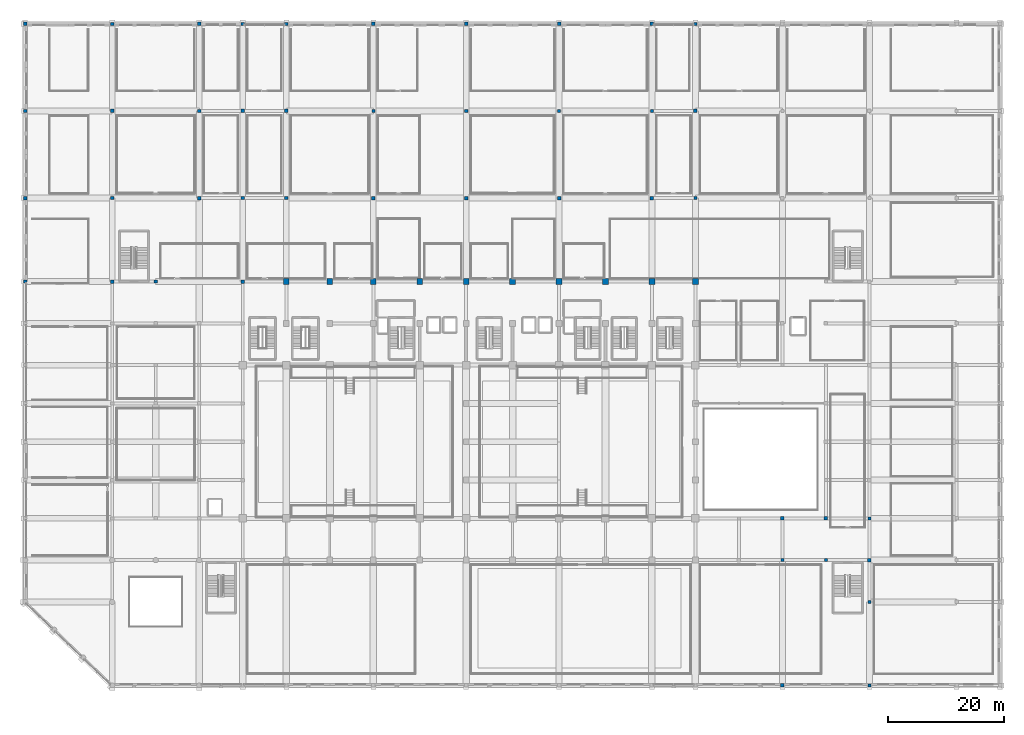
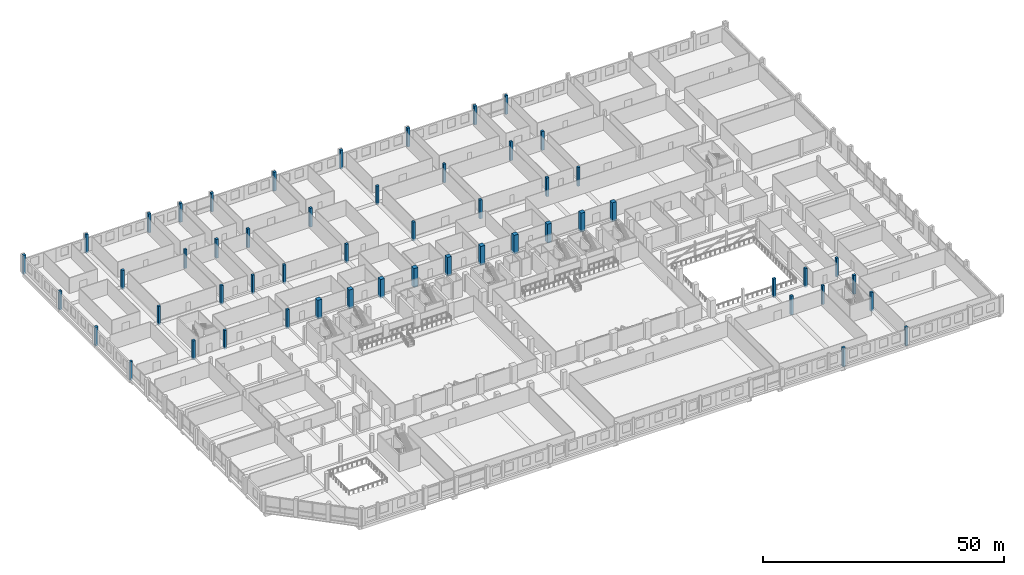
# One storey, part 4 of 68: 53 columns.
"""IFC4 building model written with IfcOpenShell, lengths in metres."""

from ifc_helpers import new_model, si_unit, direction, frame, origin, origin_2d, place, context, subcontext, project, spatial, rectangle, extrude, material, material_profile, profile_set, type_object, element, save


model = new_model("IFC4")

# Units and contexts
model_context = context("Model", 3, precision=1e-05, world=origin(), true_north=direction((0.0, 1.0)))
body_context = subcontext(model_context, "Body", "Model", "MODEL_VIEW")
ifc_project = project(units=[si_unit("LENGTHUNIT", "METRE"), si_unit("AREAUNIT", "SQUARE_METRE"), si_unit("VOLUMEUNIT", "CUBIC_METRE"), si_unit("PLANEANGLEUNIT", "RADIAN"), si_unit("MASSUNIT", "GRAM", prefix="KILO")], contexts=[model_context])

# Site, building, storey
site_placement = place(None, origin())
site = spatial("IfcSite", under=ifc_project, at=site_placement, CompositionType="ELEMENT")
building_placement = place(site_placement, origin())
building = spatial("IfcBuilding", under=site, at=building_placement, Name="Akrevak Sports Hall", CompositionType="ELEMENT")
storey_placement = place(building_placement, frame((0.0, 0.0, 9.39990234375)))
storey = spatial("IfcBuildingStorey", under=building, at=storey_placement, Name="L02", CompositionType="ELEMENT", Elevation=9.39990234375)

# Columns
ifc_material_1 = material(Name="Concrete C50/60", Category="concrete")
ifc_material_profile_1 = material_profile(ifc_material_1, rectangle(XDim=1.0, YDim=1.0, at=origin_2d()), Name="RC 1000x1000", Category="concrete")
ifc_profile_set_1 = profile_set([ifc_material_profile_1], Name="Concrete C50/60")
column_type_1 = type_object("IfcColumnType", Name="STR-COL-RC1000", PredefinedType="COLUMN", material=ifc_profile_set_1)
for number, where, z_axis, x_axis, name in (
    (1, (45.0, 69.60009765625, -0.449951171875), (0.0, 0.0, 1.0), (1.0, 0.0, 0.0), "Column 7/K (L02)"),
    (2, (52.5, 69.60009765625, -0.449951171875), (0.0, 0.0, 1.0), (1.0, 0.0, 0.0), "Column 8/K (L02)"),
    (3, (60.0, 69.60009765625, -0.449951171875), (0.0, 0.0, 1.0), (1.0, 0.0, 0.0), "Column 9/K (L02)"),
    (4, (68.0, 69.60009765625, -0.449951171875), (0.0, 0.0, 1.0), (1.0, 0.0, 0.0), "Column 10/K (L02)"),
    (5, (76.0, 69.60009765625, -0.449951171875), (0.0, 0.0, 1.0), (1.0, 0.0, 0.0), "Column 11/K (L02)"),
    (6, (84.0, 69.60009765625, -0.449951171875), (0.0, 0.0, 1.0), (1.0, 0.0, 0.0), "Column 12/K (L02)"),
    (7, (92.0, 69.60009765625, -0.449951171875), (0.0, 0.0, 1.0), (1.0, 0.0, 0.0), "Column 13/K (L02)"),
    (8, (100.0, 69.60009765625, -0.449951171875), (0.0, 0.0, 1.0), (1.0, 0.0, 0.0), "Column 14/K (L02)"),
    (9, (108.0, 69.60009765625, -0.449951171875), (0.0, 0.0, 1.0), (1.0, 0.0, 0.0), "Column 15/K (L02)"),
    (10, (115.5, 69.60009765625, -0.449951171875), (0.0, 0.0, 1.0), (1.0, 0.0, 0.0), "Column 16/K (L02)"),
):
    element("IfcColumn", number, at=place(storey_placement, frame(where, z_axis=z_axis, x_axis=x_axis)), inside=storey, type_object=column_type_1, Name=name, PredefinedType="COLUMN", context=body_context, shape_type="SweptSolid", body=[
        extrude(rectangle(XDim=1.0, YDim=1.0, at=origin_2d()), origin(), (0.0, 0.0, 1.0), 4.77001953125),
    ])
ifc_material_2 = material(Name="Concrete C40/50", Category="concrete")
ifc_material_profile_2 = material_profile(ifc_material_2, rectangle(XDim=0.550048828125, YDim=0.550048828125, at=origin_2d()), Name="RC 550x550", Category="concrete")
ifc_profile_set_2 = profile_set([ifc_material_profile_2], Name="Concrete C40/50")
column_type_2 = type_object("IfcColumnType", Name="STR-COL-RC550", PredefinedType="COLUMN", material=ifc_profile_set_2)
for number, where, z_axis, x_axis, name in (
    (11, (0.0, 69.60009765625, -0.449951171875), (0.0, 0.0, 1.0), (1.0, 0.0, 0.0), "Column 1/K (L02)"),
    (12, (0.0, 99.0, -0.449951171875), (0.0, 0.0, 1.0), (1.0, 0.0, 0.0), "Column 1/O (L02)"),
    (13, (15.0, 84.0, -0.449951171875), (0.0, 0.0, 1.0), (1.0, 0.0, 0.0), "Column 3/M (L02)"),
    (14, (15.0, 114.0, -0.449951171875), (0.0, 0.0, 1.0), (1.0, 0.0, 0.0), "Column 3/Q (L02)"),
    (15, (22.5, 69.60009765625, -0.449951171875), (0.0, 0.0, 1.0), (1.0, 0.0, 0.0), "Column 4/K (L02)"),
    (16, (30.0, 99.0, -0.449951171875), (0.0, 0.0, 1.0), (1.0, 0.0, 0.0), "Column 5/O (L02)"),
    (17, (37.5, 84.0, -0.449951171875), (0.0, 0.0, 1.0), (1.0, 0.0, 0.0), "Column 6/M (L02)"),
    (18, (37.5, 114.0, -0.449951171875), (0.0, 0.0, 1.0), (1.0, 0.0, 0.0), "Column 6/Q (L02)"),
    (19, (45.0, 84.0, -0.449951171875), (0.0, 0.0, 1.0), (1.0, 0.0, 0.0), "Column 7/M (L02)"),
    (20, (45.0, 114.0, -0.449951171875), (0.0, 0.0, 1.0), (1.0, 0.0, 0.0), "Column 7/Q (L02)"),
    (21, (60.0, 99.0, -0.449951171875), (0.0, 0.0, 1.0), (1.0, 0.0, 0.0), "Column 9/O (L02)"),
    (22, (76.0, 99.0, -0.449951171875), (0.0, 0.0, 1.0), (1.0, 0.0, 0.0), "Column 11/O (L02)"),
    (23, (92.0, 99.0, -0.449951171875), (0.0, 0.0, 1.0), (1.0, 0.0, 0.0), "Column 13/O (L02)"),
    (24, (108.0, 99.0, -0.449951171875), (0.0, 0.0, 1.0), (1.0, 0.0, 0.0), "Column 15/O (L02)"),
    (25, (115.5, 84.0, -0.449951171875), (0.0, 0.0, 1.0), (1.0, 0.0, 0.0), "Column 16/M (L02)"),
    (26, (115.5, 114.0, -0.449951171875), (0.0, 0.0, 1.0), (1.0, 0.0, 0.0), "Column 16/Q (L02)"),
    (27, (130.5, 21.60009765625, -0.449951171875), (0.0, 0.0, 1.0), (1.0, 0.0, 0.0), "Column 18/D (L02)"),
    (28, (138.0, 21.60009765625, -0.449951171875), (0.0, 0.0, 1.0), (1.0, 0.0, 0.0), "Column 19/D (L02)"),
    (29, (145.5, 0.0, -0.449951171875), (0.0, 0.0, 1.0), (1.0, 0.0, 0.0), "Column 20/A (L02)"),
    (30, (145.5, 14.39990234375, -0.449951171875), (0.0, 0.0, 1.0), (1.0, 0.0, 0.0), "Column 20/C (L02)"),
    (31, (145.5, 28.800048828125, -0.449951171875), (0.0, 0.0, 1.0), (1.0, 0.0, 0.0), "Column 20/E (L02)"),
):
    element("IfcColumn", number, at=place(storey_placement, frame(where, z_axis=z_axis, x_axis=x_axis)), inside=storey, type_object=column_type_2, Name=name, PredefinedType="COLUMN", context=body_context, shape_type="SweptSolid", body=[
        extrude(rectangle(XDim=0.550048828125, YDim=0.550048828125, at=origin_2d()), origin(), (0.0, 0.0, 1.0), 4.77001953125),
    ])
ifc_material_profile_3 = material_profile(ifc_material_2, rectangle(XDim=0.60009765625, YDim=0.60009765625, at=origin_2d()), Name="RC 600x600", Category="concrete")
ifc_profile_set_3 = profile_set([ifc_material_profile_3], Name="Concrete C40/50")
column_type_3 = type_object("IfcColumnType", Name="STR-COL-RC600", PredefinedType="COLUMN", material=ifc_profile_set_3)
for number, where, z_axis, x_axis, name in (
    (32, (0.0, 84.0, -0.449951171875), (0.0, 0.0, 1.0), (1.0, 0.0, 0.0), "Column 1/M (L02)"),
    (33, (0.0, 114.0, -0.449951171875), (0.0, 0.0, 1.0), (1.0, 0.0, 0.0), "Column 1/Q (L02)"),
    (34, (15.0, 69.60009765625, -0.449951171875), (0.0, 0.0, 1.0), (1.0, 0.0, 0.0), "Column 3/K (L02)"),
    (35, (15.0, 99.0, -0.449951171875), (0.0, 0.0, 1.0), (1.0, 0.0, 0.0), "Column 3/O (L02)"),
    (36, (30.0, 84.0, -0.449951171875), (0.0, 0.0, 1.0), (1.0, 0.0, 0.0), "Column 5/M (L02)"),
    (37, (30.0, 114.0, -0.449951171875), (0.0, 0.0, 1.0), (1.0, 0.0, 0.0), "Column 5/Q (L02)"),
    (38, (37.5, 69.60009765625, -0.449951171875), (0.0, 0.0, 1.0), (1.0, 0.0, 0.0), "Column 6/K (L02)"),
    (39, (37.5, 99.0, -0.449951171875), (0.0, 0.0, 1.0), (1.0, 0.0, 0.0), "Column 6/O (L02)"),
    (40, (45.0, 99.0, -0.449951171875), (0.0, 0.0, 1.0), (1.0, 0.0, 0.0), "Column 7/O (L02)"),
    (41, (60.0, 84.0, -0.449951171875), (0.0, 0.0, 1.0), (1.0, 0.0, 0.0), "Column 9/M (L02)"),
    (42, (60.0, 114.0, -0.449951171875), (0.0, 0.0, 1.0), (1.0, 0.0, 0.0), "Column 9/Q (L02)"),
    (43, (76.0, 84.0, -0.449951171875), (0.0, 0.0, 1.0), (1.0, 0.0, 0.0), "Column 11/M (L02)"),
    (44, (76.0, 114.0, -0.449951171875), (0.0, 0.0, 1.0), (1.0, 0.0, 0.0), "Column 11/Q (L02)"),
    (45, (92.0, 84.0, -0.449951171875), (0.0, 0.0, 1.0), (1.0, 0.0, 0.0), "Column 13/M (L02)"),
    (46, (92.0, 114.0, -0.449951171875), (0.0, 0.0, 1.0), (1.0, 0.0, 0.0), "Column 13/Q (L02)"),
    (47, (108.0, 84.0, -0.449951171875), (0.0, 0.0, 1.0), (1.0, 0.0, 0.0), "Column 15/M (L02)"),
    (48, (108.0, 114.0, -0.449951171875), (0.0, 0.0, 1.0), (1.0, 0.0, 0.0), "Column 15/Q (L02)"),
    (49, (115.5, 99.0, -0.449951171875), (0.0, 0.0, 1.0), (1.0, 0.0, 0.0), "Column 16/O (L02)"),
    (50, (130.5, 0.0, -0.449951171875), (0.0, 0.0, 1.0), (1.0, 0.0, 0.0), "Column 18/A (L02)"),
    (51, (130.5, 28.800048828125, -0.449951171875), (0.0, 0.0, 1.0), (1.0, 0.0, 0.0), "Column 18/E (L02)"),
    (52, (138.0, 28.800048828125, -0.449951171875), (0.0, 0.0, 1.0), (1.0, 0.0, 0.0), "Column 19/E (L02)"),
    (53, (145.5, 21.60009765625, -0.449951171875), (0.0, 0.0, 1.0), (1.0, 0.0, 0.0), "Column 20/D (L02)"),
):
    element("IfcColumn", number, at=place(storey_placement, frame(where, z_axis=z_axis, x_axis=x_axis)), inside=storey, type_object=column_type_3, Name=name, PredefinedType="COLUMN", context=body_context, shape_type="SweptSolid", body=[
        extrude(rectangle(XDim=0.60009765625, YDim=0.60009765625, at=origin_2d()), origin(), (0.0, 0.0, 1.0), 4.77001953125),
    ])

save(model, "model.ifc")
